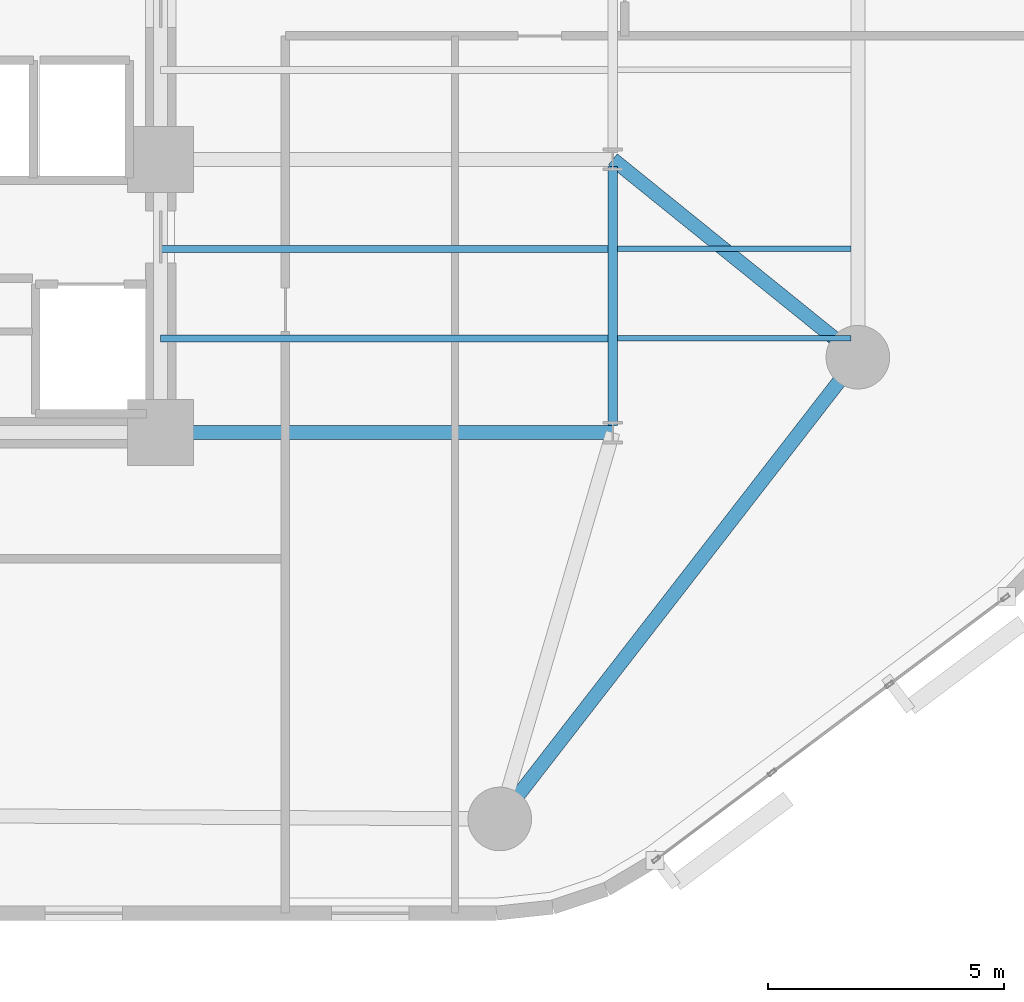
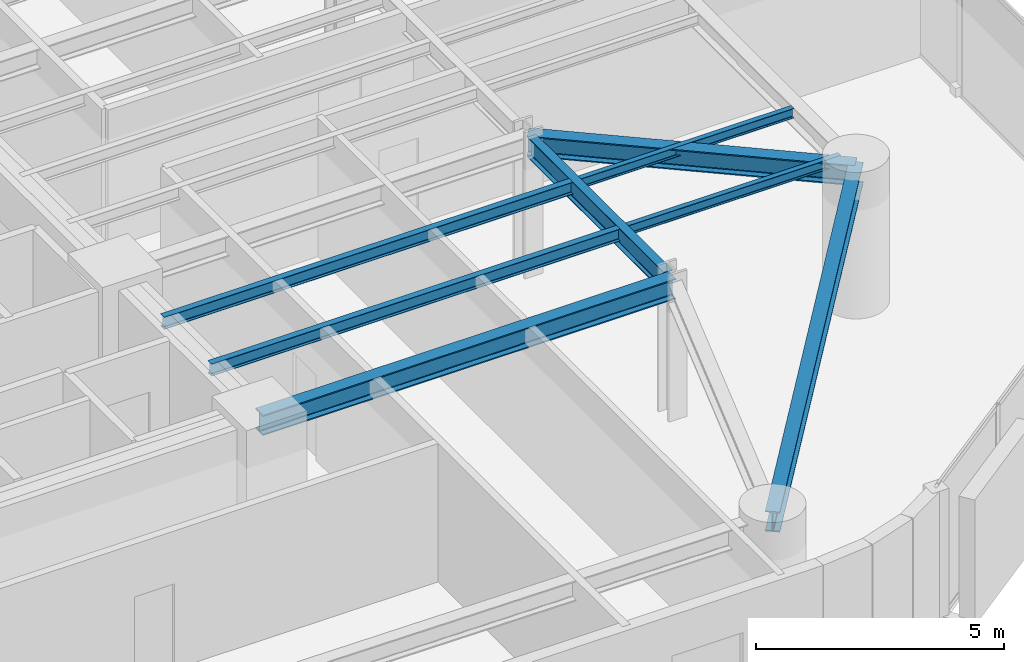
# One storey, part 3 of 15: 8 beams.
"""IFC4 building model written with IfcOpenShell, lengths in metres."""

from ifc_helpers import new_model, si_unit, direction, frame, origin, origin_2d, place, context, subcontext, project, spatial, i_section, extrude, material, material_profile, profile_set, type_object, element, save


model = new_model("IFC4")

# Units and contexts
model_context = context("Model", 3, precision=1e-05, world=origin(), true_north=direction((0.0, 1.0)))
body_context = subcontext(model_context, "Body", "Model", "MODEL_VIEW")
ifc_project = project(units=[si_unit("LENGTHUNIT", "METRE"), si_unit("AREAUNIT", "SQUARE_METRE"), si_unit("VOLUMEUNIT", "CUBIC_METRE"), si_unit("PLANEANGLEUNIT", "RADIAN"), si_unit("MASSUNIT", "GRAM", prefix="KILO")], contexts=[model_context])

# Site, building, storey
site_placement = place(None, origin())
site = spatial("IfcSite", under=ifc_project, at=site_placement, CompositionType="ELEMENT")
building_placement = place(site_placement, origin())
building = spatial("IfcBuilding", under=site, at=building_placement, Name="An Khanh Terracotta Commons", CompositionType="ELEMENT")
storey_placement = place(building_placement, frame((0.0, 0.0, 86.300048828125)))
storey = spatial("IfcBuildingStorey", under=building, at=storey_placement, Name="L22", CompositionType="ELEMENT", Elevation=86.300048828125)

# Beams
ifc_material = material(Name="Steel S355J2", Category="steel")
ifc_material_profile_1 = material_profile(ifc_material, i_section(OverallWidth=0.300048828125, OverallDepth=0.5, WebThickness=0.014404296875, FlangeThickness=0.028076171875, FilletRadius=0.027099609375, at=origin_2d()), Name="HEB500")
ifc_profile_set_1 = profile_set([ifc_material_profile_1], Name="Steel S355J2")
beam_type_1 = type_object("IfcBeamType", Name="BM-HEB500", PredefinedType="BEAM", material=ifc_profile_set_1)
beam_1_placement = place(storey_placement, frame((44.39990234375, 6.199951171875, 3.14990234375), z_axis=(0.612826529795, 0.790217466511, 0.0), x_axis=(-0.790217466511, 0.612826529795, 0.0)))
element("IfcBeam", 1, at=beam_1_placement, inside=storey, type_object=beam_type_1, Name="L22 Perimeter Ring Spandrel 2", PredefinedType="BEAM", context=body_context, shape_type="SweptSolid", body=[
    extrude(i_section(OverallWidth=0.300048828125, OverallDepth=0.5, WebThickness=0.014404296875, FlangeThickness=0.028076171875, FilletRadius=0.027099609375, at=origin_2d()), origin(), (0.0, 0.0, 1.0), 12.401611328125),
])
beam_2_placement = place(storey_placement, frame((37.199951171875, 14.39990234375, 3.14990234375), z_axis=(1.0, 0.0, 0.0), x_axis=(0.0, 1.0, 0.0)))
element("IfcBeam", 2, at=beam_2_placement, inside=storey, type_object=beam_type_1, Name="L22 East Primary Floor Girder 1", PredefinedType="BEAM", context=body_context, shape_type="SweptSolid", body=[
    extrude(i_section(OverallWidth=0.300048828125, OverallDepth=0.5, WebThickness=0.014404296875, FlangeThickness=0.028076171875, FilletRadius=0.027099609375, at=origin_2d()), origin(), (0.0, 0.0, 1.0), 9.60009765625),
])
beam_3_placement = place(storey_placement, frame((52.0, 16.0, 3.14990234375), z_axis=(-0.777941866883, 0.628336256913, 0.0), x_axis=(-0.628336256913, -0.777941866883, 0.0)))
element("IfcBeam", 3, at=beam_3_placement, inside=storey, type_object=beam_type_1, Name="L22 Mega-Column Tie Girder 3", PredefinedType="BEAM", context=body_context, shape_type="SweptSolid", body=[
    extrude(i_section(OverallWidth=0.300048828125, OverallDepth=0.5, WebThickness=0.014404296875, FlangeThickness=0.028076171875, FilletRadius=0.027099609375, at=origin_2d()), origin(), (0.0, 0.0, 1.0), 6.684326171875),
])
ifc_material_profile_2 = material_profile(ifc_material, i_section(OverallWidth=0.1201171875, OverallDepth=0.239990234375, WebThickness=0.006103515625, FlangeThickness=0.009765625, FilletRadius=0.014892578125, at=origin_2d()), Name="IPE240")
ifc_profile_set_2 = profile_set([ifc_material_profile_2], Name="Steel S355J2")
beam_type_2 = type_object("IfcBeamType", Name="BM-IPE240", PredefinedType="JOIST", material=ifc_profile_set_2)
for number, where, z_axis, x_axis, name in (
    (4, (46.89990234375, 16.39990234375, 3.280029296875), (1.0, 0.0, 0.0), (0.0, 1.0, 0.0), "L22 Riverfront Composite Joist 1"),
    (5, (46.89990234375, 18.300048828125, 3.280029296875), (1.0, 0.0, 0.0), (0.0, 1.0, 0.0), "L22 Riverfront Composite Joist 2"),
):
    element("IfcBeam", number, at=place(storey_placement, frame(where, z_axis=z_axis, x_axis=x_axis)), inside=storey, type_object=beam_type_2, Name=name, PredefinedType="JOIST", context=body_context, shape_type="SweptSolid", body=[
        extrude(i_section(OverallWidth=0.1201171875, OverallDepth=0.239990234375, WebThickness=0.006103515625, FlangeThickness=0.009765625, FilletRadius=0.014892578125, at=origin_2d()), origin(), (0.0, 0.0, 1.0), 4.9501953125),
    ])
ifc_material_profile_3 = material_profile(ifc_material, i_section(OverallWidth=0.14990234375, OverallDepth=0.300048828125, WebThickness=0.007080078125, FlangeThickness=0.0107421875, FilletRadius=0.014892578125, at=origin_2d()), Name="IPE300")
ifc_profile_set_3 = profile_set([ifc_material_profile_3], Name="Steel S355J2")
beam_type_3 = type_object("IfcBeamType", Name="BM-IPE300", PredefinedType="JOIST", material=ifc_profile_set_3)
for number, where, z_axis, x_axis, name in (
    (6, (37.199951171875, 16.39990234375, 3.25), (1.0, 0.0, 0.0), (0.0, 1.0, 0.0), "L22 Inboard Composite Joist 1"),
    (7, (37.199951171875, 18.300048828125, 3.25), (1.0, 0.0, 0.0), (0.0, 1.0, 0.0), "L22 Inboard Composite Joist 2"),
):
    element("IfcBeam", number, at=place(storey_placement, frame(where, z_axis=z_axis, x_axis=x_axis)), inside=storey, type_object=beam_type_3, Name=name, PredefinedType="JOIST", context=body_context, shape_type="SweptSolid", body=[
        extrude(i_section(OverallWidth=0.14990234375, OverallDepth=0.300048828125, WebThickness=0.007080078125, FlangeThickness=0.0107421875, FilletRadius=0.014892578125, at=origin_2d()), origin(), (0.0, 0.0, 1.0), 9.5),
    ])
ifc_material_profile_4 = material_profile(ifc_material, i_section(OverallWidth=0.199951171875, OverallDepth=0.5, WebThickness=0.01025390625, FlangeThickness=0.01611328125, FilletRadius=0.02099609375, at=origin_2d()), Name="IPE500")
ifc_profile_set_4 = profile_set([ifc_material_profile_4], Name="Steel S355J2")
beam_type_4 = type_object("IfcBeamType", Name="BM-IPE500", PredefinedType="BEAM", material=ifc_profile_set_4)
beam_4_placement = place(storey_placement, frame((46.800048828125, 14.550048828125, 3.14990234375), z_axis=(0.0, 1.0, 0.0), x_axis=(-1.0, 0.0, 0.0)))
element("IfcBeam", 8, at=beam_4_placement, inside=storey, type_object=beam_type_4, Name="L22 East Spine Girder 1", PredefinedType="BEAM", context=body_context, shape_type="SweptSolid", body=[
    extrude(i_section(OverallWidth=0.199951171875, OverallDepth=0.5, WebThickness=0.01025390625, FlangeThickness=0.01611328125, FilletRadius=0.02099609375, at=origin_2d()), origin(), (0.0, 0.0, 1.0), 5.5),
])

save(model, "model.ifc")
